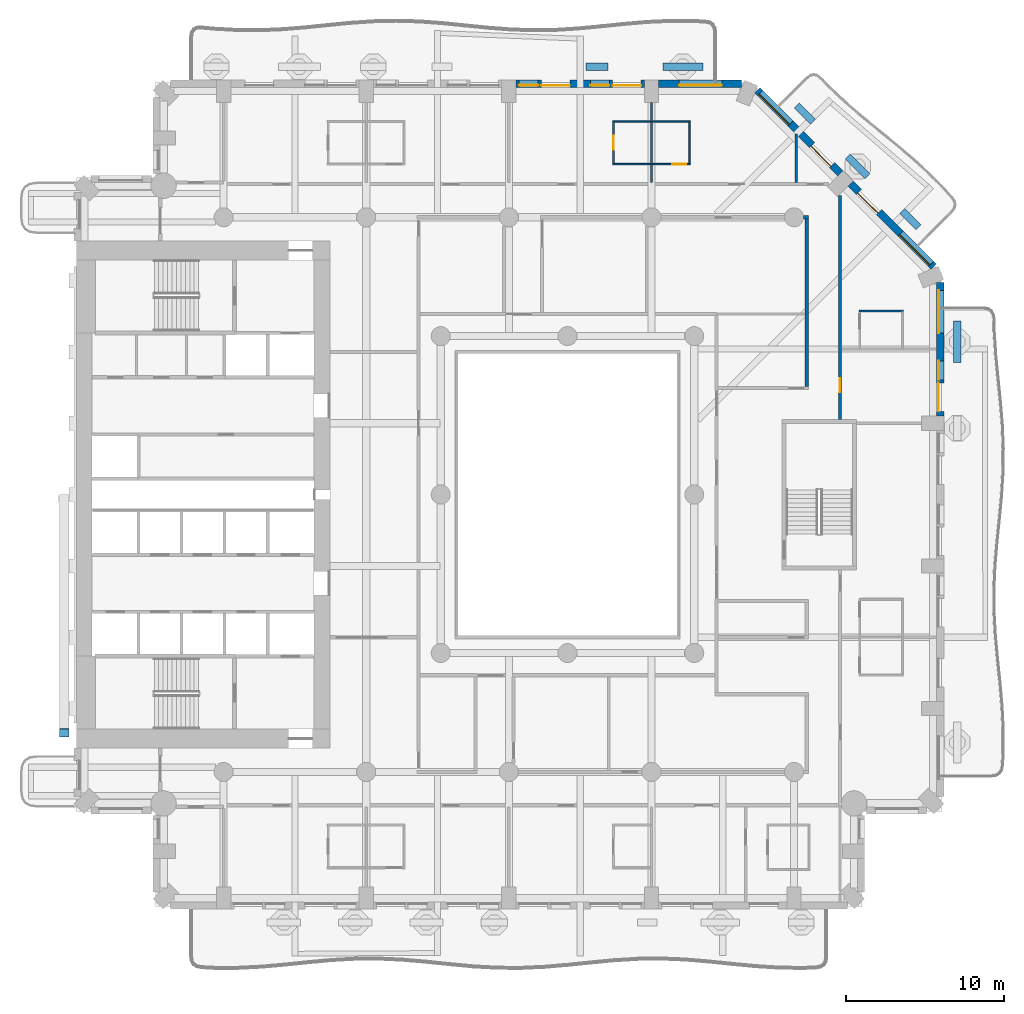
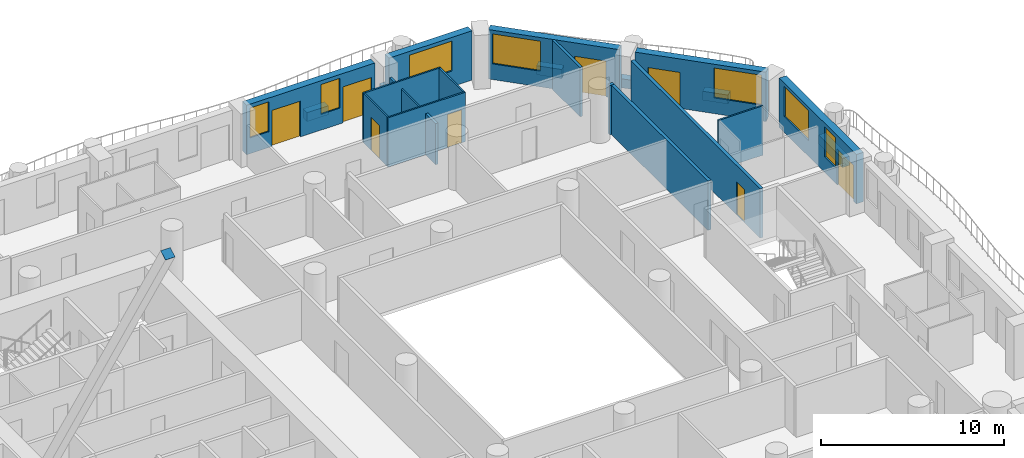
# One storey, part 9 of 20: 23 walls, 8 doors, 7 windows, 1 discrete accessory, 15 openings.
"""IFC4 building model written with IfcOpenShell, lengths in metres."""

from ifc_helpers import new_model, si_unit, direction, frame, frame_2d, origin, origin_2d, place, context, subcontext, project, spatial, rectangle, extrude, material, layer, layer_set, material_profile, profile_set, type_object, element, fill, save


model = new_model("IFC4")

# Units and contexts
model_context = context("Model", 3, precision=1e-05, world=origin(), true_north=direction((0.0, 1.0)))
body_context = subcontext(model_context, "Body", "Model", "MODEL_VIEW")
ifc_project = project(units=[si_unit("LENGTHUNIT", "METRE"), si_unit("AREAUNIT", "SQUARE_METRE"), si_unit("VOLUMEUNIT", "CUBIC_METRE"), si_unit("PLANEANGLEUNIT", "RADIAN"), si_unit("MASSUNIT", "GRAM", prefix="KILO")], contexts=[model_context])

# Site, building, storey
site_placement = place(None, origin())
site = spatial("IfcSite", under=ifc_project, at=site_placement, CompositionType="ELEMENT")
building_placement = place(site_placement, origin())
building = spatial("IfcBuilding", under=site, at=building_placement, Name="Cypress Arch Tower", CompositionType="ELEMENT")
storey_placement = place(building_placement, frame((0.0, 0.0, 73.5)))
storey = spatial("IfcBuildingStorey", under=building, at=storey_placement, Name="L12", CompositionType="ELEMENT", Elevation=73.5)

# Walls
ifc_material_1 = material(Name="Concrete C40/50, waterproofed", Category="concrete")
ifc_layer_1 = layer(ifc_material_1, 0.449951171875)
ifc_layer_set_1 = layer_set([ifc_layer_1], Name="Balcony planter wall PW450")
wall_type_1 = type_object("IfcWallType", Name="Balcony planter wall PW450", PredefinedType="SOLIDWALL", material=ifc_layer_set_1)
wall_1_placement = place(storey_placement, frame((25.60009765625, 8.335693359375, 0.0), z_axis=(0.0, 0.0, 1.0), x_axis=(0.0, 1.0, 0.0)))
element("IfcWall", 1, at=wall_1_placement, inside=storey, type_object=wall_type_1, Name="Balcony planter wall L12-A06.3", PredefinedType="SOLIDWALL", context=body_context, shape_type="SweptSolid", body=[
    extrude(rectangle(XDim=2.6142578125, YDim=0.449951171875, at=frame_2d((1.30712890625, 0.0))), origin(), (0.0, 0.0, 1.0), 0.60009765625),
])
wall_2_placement = place(storey_placement, frame((23.150390625, 16.86376953125, 0.0), z_axis=(0.0, 0.0, 1.0), x_axis=(-0.707106781187, 0.707106781187, 0.0)))
element("IfcWall", 2, at=wall_2_placement, inside=storey, type_object=wall_type_1, Name="Balcony planter wall L12-A07.1", PredefinedType="SOLIDWALL", context=body_context, shape_type="SweptSolid", body=[
    extrude(rectangle(XDim=1.44482421875, YDim=0.449951171875, at=frame_2d((0.722412109375, 0.0))), origin(), (0.0, 0.0, 1.0), 0.60009765625),
])
wall_3_placement = place(storey_placement, frame((19.9365234375, 20.07763671875, 0.0), z_axis=(0.0, 0.0, 1.0), x_axis=(-0.707106781187, 0.707106781187, 0.0)))
element("IfcWall", 3, at=wall_3_placement, inside=storey, type_object=wall_type_1, Name="Balcony planter wall L12-A07.2", PredefinedType="SOLIDWALL", context=body_context, shape_type="SweptSolid", body=[
    extrude(rectangle(XDim=1.780517578125, YDim=0.449951171875, at=frame_2d((0.89013671875, 0.0))), origin(), (0.0, 0.0, 1.0), 0.60009765625),
])
wall_4_placement = place(storey_placement, frame((16.485595703125, 23.528564453125, 0.0), z_axis=(0.0, 0.0, 1.0), x_axis=(-0.707022305137, 0.707191247145, 0.0)))
element("IfcWall", 4, at=wall_4_placement, inside=storey, type_object=wall_type_1, Name="Balcony planter wall L12-A07.3", PredefinedType="SOLIDWALL", context=body_context, shape_type="SweptSolid", body=[
    extrude(rectangle(XDim=1.445068359375, YDim=0.449951171875, at=frame_2d((0.72265625, 0.0))), origin(), (0.0, 0.0, 1.0), 0.60009765625),
])
wall_5_placement = place(storey_placement, frame((9.550048828125, 27.0, 0.0), z_axis=(0.0, 0.0, 1.0), x_axis=(-1.0, 0.0, 0.0)))
element("IfcWall", 5, at=wall_5_placement, inside=storey, type_object=wall_type_1, Name="Balcony planter wall L12-A08.1", PredefinedType="SOLIDWALL", context=body_context, shape_type="SweptSolid", body=[
    extrude(rectangle(XDim=2.53759765625, YDim=0.449951171875, at=frame_2d((1.268798828125, 0.0))), origin(), (0.0, 0.0, 1.0), 0.60009765625),
])
wall_6_placement = place(storey_placement, frame((3.550048828125, 27.0, 0.0), z_axis=(0.0, 0.0, 1.0), x_axis=(-1.0, 0.0, 0.0)))
element("IfcWall", 6, at=wall_6_placement, inside=storey, type_object=wall_type_1, Name="Balcony planter wall L12-A08.2", PredefinedType="SOLIDWALL", context=body_context, shape_type="SweptSolid", body=[
    extrude(rectangle(XDim=1.375, YDim=0.449951171875, at=frame_2d((0.6875, 0.0))), origin(), (0.0, 0.0, 1.0), 0.60009765625),
])

# Wall, openings, door, windows
ifc_material_2 = material(Name="Brick (red buff blend)", Category="masonry")
ifc_layer_2 = layer(ifc_material_2, 0.449951171875)
ifc_layer_set_2 = layer_set([ifc_layer_2], Name="Brick pier and spandrel wall BW450")
wall_type_2 = type_object("IfcWallType", Name="Brick pier and spandrel wall BW450", PredefinedType="SOLIDWALL", material=ifc_layer_set_2)
wall_7_placement = place(storey_placement, frame((24.52490234375, 4.949951171875, 0.0), z_axis=(0.0, 0.0, 1.0), x_axis=(0.0, 1.0, 0.0)))
wall_7 = element("IfcWall", 7, at=wall_7_placement, inside=storey, type_object=wall_type_2, Name="Brick wall L12 A06.3", PredefinedType="SOLIDWALL", context=body_context, shape_type="SweptSolid", body=[
    extrude(rectangle(XDim=8.438720703125, YDim=0.449951171875, at=frame_2d((4.21923828125, 0.0))), origin(), (0.0, 0.0, 1.0), 3.300048828125),
])
opening_1_placement = place(wall_7_placement, frame((0.2939453125, 0.0, 0.0)))
opening_1 = element("IfcOpeningElement", 8, at=opening_1_placement, cuts=wall_7, Name="Opening D-L12-A06.3.1", PredefinedType="OPENING", context=body_context, shape_type="SweptSolid", body=[
    extrude(rectangle(XDim=1.800048828125, YDim=2.39990234375, at=frame_2d((0.89990234375, 1.199951171875))), frame((0.0, 0.23486328125, 0.0), z_axis=(0.0, -1.0, 0.0), x_axis=(1.0, 0.0, 0.0)), (0.0, 0.0, 1.0), 0.469970703125),
])
opening_2_placement = place(wall_7_placement, frame((2.2939453125, 0.0, 1.050048828125)))
opening_2 = element("IfcOpeningElement", 9, at=opening_2_placement, cuts=wall_7, Name="Opening W120HD", PredefinedType="OPENING", context=body_context, shape_type="SweptSolid", body=[
    extrude(rectangle(XDim=1.199951171875, YDim=2.0, at=frame_2d((0.60009765625, 1.0))), frame((0.0, 0.23486328125, 0.0), z_axis=(0.0, -1.0, 0.0), x_axis=(1.0, 0.0, 0.0)), (0.0, 0.0, 1.0), 0.469970703125),
])
opening_3_placement = place(wall_7_placement, frame((5.231689453125, 0.0, 1.050048828125)))
opening_3 = element("IfcOpeningElement", 10, at=opening_3_placement, cuts=wall_7, Name="Opening W270HD", PredefinedType="OPENING", context=body_context, shape_type="SweptSolid", body=[
    extrude(rectangle(XDim=2.699951171875, YDim=2.0, at=frame_2d((1.35009765625, 1.0))), frame((0.0, 0.23486328125, 0.0), z_axis=(0.0, -1.0, 0.0), x_axis=(1.0, 0.0, 0.0)), (0.0, 0.0, 1.0), 0.469970703125),
])
ifc_material_3 = material(Name="Anodised aluminium, bronze finish, laminated low-emissivity double glazing, large-missile impact rated", Category="aluminium")
door_type_1 = type_object("IfcDoorType", Name="Balcony sliding door 1800x2400", OperationType="SLIDING_TO_LEFT", PredefinedType="DOOR", material=ifc_material_3)
door_1_placement = place(opening_1_placement, origin())
door_1 = element("IfcDoor", 11, at=door_1_placement, inside=storey, type_object=door_type_1, Name="Balcony door L12 A06.3.1", OperationType="SLIDING_TO_LEFT", OverallHeight=2.39990234375, OverallWidth=1.800048828125, PredefinedType="DOOR", context=body_context, shape_type="SweptSolid", body=[
    extrude(rectangle(XDim=1.800048828125, YDim=2.39990234375, at=frame_2d((0.89990234375, 1.199951171875))), frame((0.0, 0.1298828125, 0.0), z_axis=(0.0, -1.0, 0.0), x_axis=(1.0, 0.0, 0.0)), (0.0, 0.0, 1.0), 0.050048828125),
])
fill(opening_1, door_1)
ifc_material_4 = material(Name="Anodised aluminium, bronze finish, laminated low-emissivity double glazing, large-missile impact rated", Category="aluminium")
window_type_1 = type_object("IfcWindowType", Name="Window Hotel 1200x2000 debris-rated", PartitioningType="SINGLE_PANEL", PredefinedType="WINDOW", material=ifc_material_4)
window_1_placement = place(opening_2_placement, origin())
window_1 = element("IfcWindow", 12, at=window_1_placement, inside=storey, type_object=window_type_1, Name="Window L12 A06.3.1", OverallHeight=2.0, OverallWidth=1.199951171875, PartitioningType="SINGLE_PANEL", PredefinedType="WINDOW", context=body_context, shape_type="SweptSolid", body=[
    extrude(rectangle(XDim=1.199951171875, YDim=2.0, at=frame_2d((0.60009765625, 1.0))), frame((0.0, 0.135009765625, 0.0), z_axis=(0.0, -1.0, 0.0), x_axis=(1.0, 0.0, 0.0)), (0.0, 0.0, 1.0), 0.06005859375),
])
fill(opening_2, window_1)
ifc_material_5 = material(Name="Anodised aluminium, bronze finish, laminated low-emissivity double glazing, large-missile impact rated", Category="aluminium")
window_type_2 = type_object("IfcWindowType", Name="Window Hotel 2700x2000 debris-rated", PartitioningType="SINGLE_PANEL", PredefinedType="WINDOW", material=ifc_material_5)
window_2_placement = place(opening_3_placement, origin())
window_2 = element("IfcWindow", 13, at=window_2_placement, inside=storey, type_object=window_type_2, Name="Window L12 A06.3.2", OverallHeight=2.0, OverallWidth=2.699951171875, PartitioningType="SINGLE_PANEL", PredefinedType="WINDOW", context=body_context, shape_type="SweptSolid", body=[
    extrude(rectangle(XDim=2.699951171875, YDim=2.0, at=frame_2d((1.35009765625, 1.0))), frame((0.0, 0.135009765625, 0.0), z_axis=(0.0, -1.0, 0.0), x_axis=(1.0, 0.0, 0.0)), (0.0, 0.0, 1.0), 0.06005859375),
])
fill(opening_3, window_2)

# Wall, openings, door, window
wall_8_placement = place(storey_placement, frame((24.11474609375, 14.379150390625, 0.0), z_axis=(0.0, 0.0, 1.0), x_axis=(-0.707106781187, 0.707106781187, 0.0)))
wall_8 = element("IfcWall", 14, at=wall_8_placement, inside=storey, type_object=wall_type_2, Name="Brick wall L12 A07.0", PredefinedType="SOLIDWALL", context=body_context, shape_type="SweptSolid", body=[
    extrude(rectangle(XDim=7.423828125, YDim=0.449951171875, at=frame_2d((3.7119140625, 0.0))), origin(), (0.0, 0.0, 1.0), 3.300048828125),
])
opening_4_placement = place(wall_8_placement, frame((0.253173828125, 0.0, 1.050048828125)))
opening_4 = element("IfcOpeningElement", 15, at=opening_4_placement, cuts=wall_8, Name="Opening W270HD", PredefinedType="OPENING", context=body_context, shape_type="SweptSolid", body=[
    extrude(rectangle(XDim=2.699951171875, YDim=2.0, at=frame_2d((1.35009765625, 1.0))), frame((0.0, 0.23486328125, 0.0), z_axis=(0.0, -1.0, 0.0), x_axis=(1.0, 0.0, 0.0)), (0.0, 0.0, 1.0), 0.469970703125),
])
opening_5_placement = place(wall_8_placement, frame((4.8837890625, 0.0, 0.0)))
opening_5 = element("IfcOpeningElement", 16, at=opening_5_placement, cuts=wall_8, Name="Opening D-L12-A07.0.2", PredefinedType="OPENING", context=body_context, shape_type="SweptSolid", body=[
    extrude(rectangle(XDim=1.800048828125, YDim=2.39990234375, at=frame_2d((0.89990234375, 1.199951171875))), frame((0.0, 0.23486328125, 0.0), z_axis=(0.0, -1.0, 0.0), x_axis=(1.0, 0.0, 0.0)), (0.0, 0.0, 1.0), 0.469970703125),
])
door_2_placement = place(opening_5_placement, origin())
door_2 = element("IfcDoor", 17, at=door_2_placement, inside=storey, type_object=door_type_1, Name="Balcony door L12 A07.0.2", OperationType="SLIDING_TO_LEFT", OverallHeight=2.39990234375, OverallWidth=1.800048828125, PredefinedType="DOOR", context=body_context, shape_type="SweptSolid", body=[
    extrude(rectangle(XDim=1.800048828125, YDim=2.39990234375, at=frame_2d((0.89990234375, 1.199951171875))), frame((0.0, 0.1298828125, 0.0), z_axis=(0.0, -1.0, 0.0), x_axis=(1.0, 0.0, 0.0)), (0.0, 0.0, 1.0), 0.050048828125),
])
fill(opening_5, door_2)
window_3_placement = place(opening_4_placement, origin())
window_3 = element("IfcWindow", 18, at=window_3_placement, inside=storey, type_object=window_type_2, Name="Window L12 A07.0.1", OverallHeight=2.0, OverallWidth=2.699951171875, PartitioningType="SINGLE_PANEL", PredefinedType="WINDOW", context=body_context, shape_type="SweptSolid", body=[
    extrude(rectangle(XDim=2.699951171875, YDim=2.0, at=frame_2d((1.35009765625, 1.0))), frame((0.0, 0.135009765625, 0.0), z_axis=(0.0, -1.0, 0.0), x_axis=(1.0, 0.0, 0.0)), (0.0, 0.0, 1.0), 0.06005859375),
])
fill(opening_4, window_3)

wall_9_placement = place(storey_placement, frame((18.228759765625, 20.26513671875, 0.0), z_axis=(0.0, 0.0, 1.0), x_axis=(-0.707106781187, 0.707106781187, 0.0)))
wall_9 = element("IfcWall", 19, at=wall_9_placement, inside=storey, type_object=wall_type_2, Name="Brick wall L12 A07.1", PredefinedType="SOLIDWALL", context=body_context, shape_type="SweptSolid", body=[
    extrude(rectangle(XDim=7.423828125, YDim=0.449951171875, at=frame_2d((3.7119140625, 0.0))), origin(), (0.0, 0.0, 1.0), 3.300048828125),
])
opening_6_placement = place(wall_9_placement, frame((0.740234375, 0.0, 0.0)))
opening_6 = element("IfcOpeningElement", 20, at=opening_6_placement, cuts=wall_9, Name="Opening D-L12-A07.1.1", PredefinedType="OPENING", context=body_context, shape_type="SweptSolid", body=[
    extrude(rectangle(XDim=1.800048828125, YDim=2.39990234375, at=frame_2d((0.89990234375, 1.199951171875))), frame((0.0, 0.23486328125, 0.0), z_axis=(0.0, -1.0, 0.0), x_axis=(1.0, 0.0, 0.0)), (0.0, 0.0, 1.0), 0.469970703125),
])
opening_7_placement = place(wall_9_placement, frame((4.470703125, 0.0, 1.050048828125)))
opening_7 = element("IfcOpeningElement", 21, at=opening_7_placement, cuts=wall_9, Name="Opening W270HD", PredefinedType="OPENING", context=body_context, shape_type="SweptSolid", body=[
    extrude(rectangle(XDim=2.699951171875, YDim=2.0, at=frame_2d((1.35009765625, 1.0))), frame((0.0, 0.23486328125, 0.0), z_axis=(0.0, -1.0, 0.0), x_axis=(1.0, 0.0, 0.0)), (0.0, 0.0, 1.0), 0.469970703125),
])
door_3_placement = place(opening_6_placement, origin())
door_3 = element("IfcDoor", 22, at=door_3_placement, inside=storey, type_object=door_type_1, Name="Balcony door L12 A07.1.1", OperationType="SLIDING_TO_LEFT", OverallHeight=2.39990234375, OverallWidth=1.800048828125, PredefinedType="DOOR", context=body_context, shape_type="SweptSolid", body=[
    extrude(rectangle(XDim=1.800048828125, YDim=2.39990234375, at=frame_2d((0.89990234375, 1.199951171875))), frame((0.0, 0.1298828125, 0.0), z_axis=(0.0, -1.0, 0.0), x_axis=(1.0, 0.0, 0.0)), (0.0, 0.0, 1.0), 0.050048828125),
])
fill(opening_6, door_3)
window_4_placement = place(opening_7_placement, origin())
window_4 = element("IfcWindow", 23, at=window_4_placement, inside=storey, type_object=window_type_2, Name="Window L12 A07.1.2", OverallHeight=2.0, OverallWidth=2.699951171875, PartitioningType="SINGLE_PANEL", PredefinedType="WINDOW", context=body_context, shape_type="SweptSolid", body=[
    extrude(rectangle(XDim=2.699951171875, YDim=2.0, at=frame_2d((1.35009765625, 1.0))), frame((0.0, 0.135009765625, 0.0), z_axis=(0.0, -1.0, 0.0), x_axis=(1.0, 0.0, 0.0)), (0.0, 0.0, 1.0), 0.06005859375),
])
fill(opening_7, window_4)

# Wall, opening, window
wall_10_placement = place(storey_placement, frame((11.98876953125, 25.925048828125, 0.0), z_axis=(0.0, 0.0, 1.0), x_axis=(-1.0, 0.0, 0.0)))
wall_10 = element("IfcWall", 24, at=wall_10_placement, inside=storey, type_object=wall_type_2, Name="Brick wall L12 A08.0", PredefinedType="SOLIDWALL", context=body_context, shape_type="SweptSolid", body=[
    extrude(rectangle(XDim=5.23876953125, YDim=0.449951171875, at=frame_2d((2.619384765625, 0.0))), origin(), (0.0, 0.0, 1.0), 3.300048828125),
])
opening_8_placement = place(wall_10_placement, frame((1.250732421875, 0.0, 1.050048828125)))
opening_8 = element("IfcOpeningElement", 25, at=opening_8_placement, cuts=wall_10, Name="Opening W270HD", PredefinedType="OPENING", context=body_context, shape_type="SweptSolid", body=[
    extrude(rectangle(XDim=2.699951171875, YDim=2.0, at=frame_2d((1.35009765625, 1.0))), frame((0.0, 0.23486328125, 0.0), z_axis=(0.0, -1.0, 0.0), x_axis=(1.0, 0.0, 0.0)), (0.0, 0.0, 1.0), 0.469970703125),
])
window_5_placement = place(opening_8_placement, origin())
window_5 = element("IfcWindow", 26, at=window_5_placement, inside=storey, type_object=window_type_2, Name="Window L12 A08.0.1", OverallHeight=2.0, OverallWidth=2.699951171875, PartitioningType="SINGLE_PANEL", PredefinedType="WINDOW", context=body_context, shape_type="SweptSolid", body=[
    extrude(rectangle(XDim=2.699951171875, YDim=2.0, at=frame_2d((1.35009765625, 1.0))), frame((0.0, 0.135009765625, 0.0), z_axis=(0.0, -1.0, 0.0), x_axis=(1.0, 0.0, 0.0)), (0.0, 0.0, 1.0), 0.06005859375),
])
fill(opening_8, window_5)

# Wall, openings, doors, windows
wall_11_placement = place(storey_placement, frame((5.85009765625, 25.925048828125, 0.0), z_axis=(0.0, 0.0, 1.0), x_axis=(-1.0, 0.0, 0.0)))
wall_11 = element("IfcWall", 27, at=wall_11_placement, inside=storey, type_object=wall_type_2, Name="Brick wall L12 A08.1", PredefinedType="SOLIDWALL", context=body_context, shape_type="SweptSolid", body=[
    extrude(rectangle(XDim=8.10009765625, YDim=0.449951171875, at=frame_2d((4.050048828125, 0.0))), origin(), (0.0, 0.0, 1.0), 3.300048828125),
])
opening_9_placement = place(wall_11_placement, frame((0.199951171875, 0.0, 0.0)))
opening_9 = element("IfcOpeningElement", 28, at=opening_9_placement, cuts=wall_11, Name="Opening D-L12-A08.1.1", PredefinedType="OPENING", context=body_context, shape_type="SweptSolid", body=[
    extrude(rectangle(XDim=1.800048828125, YDim=2.39990234375, at=frame_2d((0.89990234375, 1.199951171875))), frame((0.0, 0.23486328125, 0.0), z_axis=(0.0, -1.0, 0.0), x_axis=(1.0, 0.0, 0.0)), (0.0, 0.0, 1.0), 0.469970703125),
])
opening_10_placement = place(wall_11_placement, frame((2.199951171875, 0.0, 1.050048828125)))
opening_10 = element("IfcOpeningElement", 29, at=opening_10_placement, cuts=wall_11, Name="Opening W120HD", PredefinedType="OPENING", context=body_context, shape_type="SweptSolid", body=[
    extrude(rectangle(XDim=1.199951171875, YDim=2.0, at=frame_2d((0.60009765625, 1.0))), frame((0.0, 0.23486328125, 0.0), z_axis=(0.0, -1.0, 0.0), x_axis=(1.0, 0.0, 0.0)), (0.0, 0.0, 1.0), 0.469970703125),
])
opening_11_placement = place(wall_11_placement, frame((4.699951171875, 0.0, 0.0)))
opening_11 = element("IfcOpeningElement", 30, at=opening_11_placement, cuts=wall_11, Name="Opening D-L12-A08.1.2", PredefinedType="OPENING", context=body_context, shape_type="SweptSolid", body=[
    extrude(rectangle(XDim=1.800048828125, YDim=2.39990234375, at=frame_2d((0.89990234375, 1.199951171875))), frame((0.0, 0.23486328125, 0.0), z_axis=(0.0, -1.0, 0.0), x_axis=(1.0, 0.0, 0.0)), (0.0, 0.0, 1.0), 0.469970703125),
])
opening_12_placement = place(wall_11_placement, frame((6.699951171875, 0.0, 1.050048828125)))
opening_12 = element("IfcOpeningElement", 31, at=opening_12_placement, cuts=wall_11, Name="Opening W120HD", PredefinedType="OPENING", context=body_context, shape_type="SweptSolid", body=[
    extrude(rectangle(XDim=1.199951171875, YDim=2.0, at=frame_2d((0.60009765625, 1.0))), frame((0.0, 0.23486328125, 0.0), z_axis=(0.0, -1.0, 0.0), x_axis=(1.0, 0.0, 0.0)), (0.0, 0.0, 1.0), 0.469970703125),
])
door_4_placement = place(opening_9_placement, origin())
door_4 = element("IfcDoor", 32, at=door_4_placement, inside=storey, type_object=door_type_1, Name="Balcony door L12 A08.1.1", OperationType="SLIDING_TO_LEFT", OverallHeight=2.39990234375, OverallWidth=1.800048828125, PredefinedType="DOOR", context=body_context, shape_type="SweptSolid", body=[
    extrude(rectangle(XDim=1.800048828125, YDim=2.39990234375, at=frame_2d((0.89990234375, 1.199951171875))), frame((0.0, 0.1298828125, 0.0), z_axis=(0.0, -1.0, 0.0), x_axis=(1.0, 0.0, 0.0)), (0.0, 0.0, 1.0), 0.050048828125),
])
fill(opening_9, door_4)
door_5_placement = place(opening_11_placement, origin())
door_5 = element("IfcDoor", 33, at=door_5_placement, inside=storey, type_object=door_type_1, Name="Balcony door L12 A08.1.2", OperationType="SLIDING_TO_LEFT", OverallHeight=2.39990234375, OverallWidth=1.800048828125, PredefinedType="DOOR", context=body_context, shape_type="SweptSolid", body=[
    extrude(rectangle(XDim=1.800048828125, YDim=2.39990234375, at=frame_2d((0.89990234375, 1.199951171875))), frame((0.0, 0.1298828125, 0.0), z_axis=(0.0, -1.0, 0.0), x_axis=(1.0, 0.0, 0.0)), (0.0, 0.0, 1.0), 0.050048828125),
])
fill(opening_11, door_5)
window_6_placement = place(opening_10_placement, origin())
window_6 = element("IfcWindow", 34, at=window_6_placement, inside=storey, type_object=window_type_1, Name="Window L12 A08.1.1", OverallHeight=2.0, OverallWidth=1.199951171875, PartitioningType="SINGLE_PANEL", PredefinedType="WINDOW", context=body_context, shape_type="SweptSolid", body=[
    extrude(rectangle(XDim=1.199951171875, YDim=2.0, at=frame_2d((0.60009765625, 1.0))), frame((0.0, 0.135009765625, 0.0), z_axis=(0.0, -1.0, 0.0), x_axis=(1.0, 0.0, 0.0)), (0.0, 0.0, 1.0), 0.06005859375),
])
fill(opening_10, window_6)
window_7_placement = place(opening_12_placement, origin())
window_7 = element("IfcWindow", 35, at=window_7_placement, inside=storey, type_object=window_type_1, Name="Window L12 A08.1.2", OverallHeight=2.0, OverallWidth=1.199951171875, PartitioningType="SINGLE_PANEL", PredefinedType="WINDOW", context=body_context, shape_type="SweptSolid", body=[
    extrude(rectangle(XDim=1.199951171875, YDim=2.0, at=frame_2d((0.60009765625, 1.0))), frame((0.0, 0.135009765625, 0.0), z_axis=(0.0, -1.0, 0.0), x_axis=(1.0, 0.0, 0.0)), (0.0, 0.0, 1.0), 0.06005859375),
])
fill(opening_12, window_7)

# Walls
ifc_material_6 = material(Name="Concrete blockwork, plastered, rated", Category="masonry")
ifc_layer_3 = layer(ifc_material_6, 0.199951171875)
ifc_layer_set_3 = layer_set([ifc_layer_3], Name="Corridor wall FW200")
wall_type_3 = type_object("IfcWallType", Name="Corridor wall FW200", PredefinedType="PARTITIONING", material=ifc_layer_set_3)
wall_12_placement = place(storey_placement, frame((15.89990234375, 17.5, 0.0), z_axis=(0.0, 0.0, 1.0), x_axis=(1.0, 0.0, 0.0)))
element("IfcWall", 36, at=wall_12_placement, inside=storey, type_object=wall_type_3, Name="Corridor wall", PredefinedType="PARTITIONING", context=body_context, shape_type="SweptSolid", body=[
    extrude(rectangle(XDim=0.300048828125, YDim=0.199951171875, at=frame_2d((0.14990234375, 0.0))), origin(), (0.0, 0.0, 1.0), 3.300048828125),
])
wall_13_placement = place(storey_placement, frame((16.10009765625, 6.824951171875, 0.0), z_axis=(0.0, 0.0, 1.0), x_axis=(0.0, 1.0, 0.0)))
element("IfcWall", 37, at=wall_13_placement, inside=storey, type_object=wall_type_3, Name="Corridor wall", PredefinedType="PARTITIONING", context=body_context, shape_type="SweptSolid", body=[
    extrude(rectangle(XDim=10.574951171875, YDim=0.199951171875, at=frame_2d((5.28759765625, 0.0))), origin(), (0.0, 0.0, 1.0), 3.300048828125),
])

# Wall, opening, door
wall_14_placement = place(storey_placement, frame((18.199951171875, 4.75, 0.0), z_axis=(0.0, 0.0, 1.0), x_axis=(0.0, 1.0, 0.0)))
wall_14 = element("IfcWall", 38, at=wall_14_placement, inside=storey, type_object=wall_type_3, Name="Corridor wall", PredefinedType="PARTITIONING", context=body_context, shape_type="SweptSolid", body=[
    extrude(rectangle(XDim=14.133544921875, YDim=0.199951171875, at=frame_2d((7.06689453125, 0.0))), origin(), (0.0, 0.0, 1.0), 3.300048828125),
])
opening_13_placement = place(wall_14_placement, frame((1.699951171875, 0.0, 0.0)))
opening_13 = element("IfcOpeningElement", 39, at=opening_13_placement, cuts=wall_14, Name="Opening D05", PredefinedType="OPENING", context=body_context, shape_type="SweptSolid", body=[
    extrude(rectangle(XDim=0.89990234375, YDim=2.199951171875, at=frame_2d((0.449951171875, 1.10009765625))), frame((0.0, 0.10986328125, 0.0), z_axis=(0.0, -1.0, 0.0), x_axis=(1.0, 0.0, 0.0)), (0.0, 0.0, 1.0), 0.219970703125),
])
ifc_material_7 = material(Name="Timber flush door", Category="wood")
door_type_2 = type_object("IfcDoorType", Name="Service door D05 900x2200", OperationType="SINGLE_SWING_LEFT", PredefinedType="DOOR", material=ifc_material_7)
door_6_placement = place(opening_13_placement, origin())
door_6 = element("IfcDoor", 40, at=door_6_placement, inside=storey, type_object=door_type_2, Name="Service door", OperationType="SINGLE_SWING_RIGHT", OverallHeight=2.199951171875, OverallWidth=0.89990234375, PredefinedType="DOOR", context=body_context, shape_type="SweptSolid", body=[
    extrude(rectangle(XDim=0.89990234375, YDim=2.199951171875, at=frame_2d((0.449951171875, 1.10009765625))), frame((0.0, 0.02490234375, 0.0), z_axis=(0.0, -1.0, 0.0), x_axis=(1.0, 0.0, 0.0)), (0.0, 0.0, 1.0), 0.050048828125),
])
fill(opening_13, door_6)

# Walls
ifc_material_8 = material(Name="Blockwork, plastered both sides", Category="masonry")
ifc_layer_4 = layer(ifc_material_8, 0.14990234375)
ifc_layer_set_4 = layer_set([ifc_layer_4], Name="Partition PW150")
wall_type_4 = type_object("IfcWallType", Name="Partition PW150", PredefinedType="PARTITIONING", material=ifc_layer_set_4)
wall_15_placement = place(storey_placement, frame((6.300048828125, 19.699951171875, 0.0), z_axis=(0.0, 0.0, 1.0), x_axis=(0.0, 1.0, 0.0)))
element("IfcWall", 41, at=wall_15_placement, inside=storey, type_object=wall_type_4, Name="Partition", PredefinedType="PARTITIONING", context=body_context, shape_type="SweptSolid", body=[
    extrude(rectangle(XDim=1.150146484375, YDim=0.14990234375, at=frame_2d((0.5751953125, 0.0))), origin(), (0.0, 0.0, 1.0), 2.75),
])
wall_16_placement = place(storey_placement, frame((6.300048828125, 23.550048828125, 0.0), z_axis=(0.0, 0.0, 1.0), x_axis=(0.0, 1.0, 0.0)))
element("IfcWall", 42, at=wall_16_placement, inside=storey, type_object=wall_type_4, Name="Partition", PredefinedType="PARTITIONING", context=body_context, shape_type="SweptSolid", body=[
    extrude(rectangle(XDim=1.199951171875, YDim=0.14990234375, at=frame_2d((0.60009765625, 0.0))), origin(), (0.0, 0.0, 1.0), 2.75),
])
wall_17_placement = place(storey_placement, frame((15.431884765625, 19.699951171875, 0.0), z_axis=(0.0, 0.0, 1.0), x_axis=(0.0, 1.0, 0.0)))
element("IfcWall", 43, at=wall_17_placement, inside=storey, type_object=wall_type_4, Name="Partition", PredefinedType="PARTITIONING", context=body_context, shape_type="SweptSolid", body=[
    extrude(rectangle(XDim=3.043701171875, YDim=0.14990234375, at=frame_2d((1.52197265625, 0.0))), origin(), (0.0, 0.0, 1.0), 3.300048828125),
])

# Wall, opening, door
ifc_material_9 = material(Name="Moisture resistant board on steel studs, tiled", Category="steel")
ifc_layer_5 = layer(ifc_material_9, 0.10009765625)
ifc_layer_set_5 = layer_set([ifc_layer_5], Name="Wet wall PW100")
wall_type_5 = type_object("IfcWallType", Name="Wet wall PW100", PredefinedType="PARTITIONING", material=ifc_layer_set_5)
wall_18_placement = place(storey_placement, frame((3.904052734375, 20.89990234375, 0.0), z_axis=(0.0, 0.0, 1.0), x_axis=(0.0, 1.0, 0.0)))
wall_18 = element("IfcWall", 44, at=wall_18_placement, inside=storey, type_object=wall_type_5, Name="Wet wall", PredefinedType="PARTITIONING", context=body_context, shape_type="SweptSolid", body=[
    extrude(rectangle(XDim=2.60009765625, YDim=0.10009765625, at=frame_2d((1.300048828125, 0.0))), origin(), (0.0, 0.0, 1.0), 3.300048828125),
])
opening_14_placement = place(wall_18_placement, frame((0.85009765625, 0.0, 0.0)))
opening_14 = element("IfcOpeningElement", 45, at=opening_14_placement, cuts=wall_18, Name="Opening D03", PredefinedType="OPENING", context=body_context, shape_type="SweptSolid", body=[
    extrude(rectangle(XDim=0.89990234375, YDim=2.199951171875, at=frame_2d((0.449951171875, 1.10009765625))), frame((0.0, 0.06005859375, 0.0), z_axis=(0.0, -1.0, 0.0), x_axis=(1.0, 0.0, 0.0)), (0.0, 0.0, 1.0), 0.1201171875),
])
ifc_material_10 = material(Name="Timber flush door, moisture resistant", Category="wood")
door_type_3 = type_object("IfcDoorType", Name="Bathroom door D03 900x2200", OperationType="SINGLE_SWING_LEFT", PredefinedType="DOOR", material=ifc_material_10)
door_7_placement = place(opening_14_placement, origin())
door_7 = element("IfcDoor", 46, at=door_7_placement, inside=storey, type_object=door_type_3, Name="Bathroom door", OperationType="SINGLE_SWING_RIGHT", OverallHeight=2.199951171875, OverallWidth=0.89990234375, PredefinedType="DOOR", context=body_context, shape_type="SweptSolid", body=[
    extrude(rectangle(XDim=0.89990234375, YDim=2.199951171875, at=frame_2d((0.449951171875, 1.10009765625))), frame((0.0, 0.02490234375, 0.0), z_axis=(0.0, -1.0, 0.0), x_axis=(1.0, 0.0, 0.0)), (0.0, 0.0, 1.0), 0.050048828125),
])
fill(opening_14, door_7)

wall_19_placement = place(storey_placement, frame((3.85400390625, 20.85009765625, 0.0), z_axis=(0.0, 0.0, 1.0), x_axis=(1.0, 0.0, 0.0)))
wall_19 = element("IfcWall", 47, at=wall_19_placement, inside=storey, type_object=wall_type_5, Name="Wet wall", PredefinedType="PARTITIONING", context=body_context, shape_type="SweptSolid", body=[
    extrude(rectangle(XDim=4.89208984375, YDim=0.10009765625, at=frame_2d((2.446044921875, 0.0))), origin(), (0.0, 0.0, 1.0), 3.300048828125),
])
opening_15_placement = place(wall_19_placement, frame((3.75, 0.0, 0.0)))
opening_15 = element("IfcOpeningElement", 48, at=opening_15_placement, cuts=wall_19, Name="Opening D03", PredefinedType="OPENING", context=body_context, shape_type="SweptSolid", body=[
    extrude(rectangle(XDim=0.89990234375, YDim=2.199951171875, at=frame_2d((0.449951171875, 1.10009765625))), frame((0.0, 0.06005859375, 0.0), z_axis=(0.0, -1.0, 0.0), x_axis=(1.0, 0.0, 0.0)), (0.0, 0.0, 1.0), 0.1201171875),
])
door_8_placement = place(opening_15_placement, origin())
door_8 = element("IfcDoor", 49, at=door_8_placement, inside=storey, type_object=door_type_3, Name="Bathroom door", OperationType="SINGLE_SWING_RIGHT", OverallHeight=2.199951171875, OverallWidth=0.89990234375, PredefinedType="DOOR", context=body_context, shape_type="SweptSolid", body=[
    extrude(rectangle(XDim=0.89990234375, YDim=2.199951171875, at=frame_2d((0.449951171875, 1.10009765625))), frame((0.0, 0.02490234375, 0.0), z_axis=(0.0, -1.0, 0.0), x_axis=(1.0, 0.0, 0.0)), (0.0, 0.0, 1.0), 0.050048828125),
])
fill(opening_15, door_8)

# Walls
wall_20_placement = place(storey_placement, frame((3.85400390625, 23.550048828125, 0.0), z_axis=(0.0, 0.0, 1.0), x_axis=(1.0, 0.0, 0.0)))
element("IfcWall", 50, at=wall_20_placement, inside=storey, type_object=wall_type_5, Name="Wet wall", PredefinedType="PARTITIONING", context=body_context, shape_type="SweptSolid", body=[
    extrude(rectangle(XDim=4.89208984375, YDim=0.10009765625, at=frame_2d((2.446044921875, 0.0))), origin(), (0.0, 0.0, 1.0), 3.300048828125),
])
wall_21_placement = place(storey_placement, frame((6.300048828125, 20.85009765625, 0.0), z_axis=(0.0, 0.0, 1.0), x_axis=(0.0, 1.0, 0.0)))
element("IfcWall", 51, at=wall_21_placement, inside=storey, type_object=wall_type_5, Name="Wet wall", PredefinedType="PARTITIONING", context=body_context, shape_type="SweptSolid", body=[
    extrude(rectangle(XDim=2.699951171875, YDim=0.10009765625, at=frame_2d((1.35009765625, 0.0))), origin(), (0.0, 0.0, 1.0), 2.75),
])
wall_22_placement = place(storey_placement, frame((8.696044921875, 20.89990234375, 0.0), z_axis=(0.0, 0.0, 1.0), x_axis=(0.0, 1.0, 0.0)))
element("IfcWall", 52, at=wall_22_placement, inside=storey, type_object=wall_type_5, Name="Wet wall", PredefinedType="PARTITIONING", context=body_context, shape_type="SweptSolid", body=[
    extrude(rectangle(XDim=2.60009765625, YDim=0.10009765625, at=frame_2d((1.300048828125, 0.0))), origin(), (0.0, 0.0, 1.0), 3.300048828125),
])
wall_23_placement = place(storey_placement, frame((19.39990234375, 11.5859375, 0.0), z_axis=(0.0, 0.0, 1.0), x_axis=(1.0, 0.0, 0.0)))
element("IfcWall", 53, at=wall_23_placement, inside=storey, type_object=wall_type_5, Name="Wet wall", PredefinedType="PARTITIONING", context=body_context, shape_type="SweptSolid", body=[
    extrude(rectangle(XDim=2.800048828125, YDim=0.10009765625, at=frame_2d((1.39990234375, 0.0))), origin(), (0.0, 0.0, 1.0), 3.300048828125),
])

# Discrete accessory
ifc_material_11 = material(Name="Steel ASTM A992", Category="steel")
ifc_material_profile = material_profile(ifc_material_11, rectangle(XDim=0.609619140625, YDim=0.609619140625, at=origin_2d()), Name="PL 20 610x610")
ifc_profile_set = profile_set([ifc_material_profile], Name="Steel ASTM A992")
discrete_accessory_type = type_object("IfcDiscreteAccessoryType", Name="End cap plate 610x610x20 Steel ASTM A992", PredefinedType="ANCHORPLATE", material=ifc_profile_set)
discrete_accessory_placement = place(storey_placement, frame((-30.7548828125, -15.03369140625, 28.05615234375), z_axis=(0.0, -0.514495755428, 0.857492925713), x_axis=(1.0, 0.0, 0.0)))
element("IfcDiscreteAccessory", 54, at=discrete_accessory_placement, inside=storey, type_object=discrete_accessory_type, Name="End cap plate west bracing 1", PredefinedType="ANCHORPLATE", context=body_context, shape_type="SweptSolid", body=[
    extrude(rectangle(XDim=0.609619140625, YDim=0.609619140625, at=origin_2d()), origin(), (0.0, 0.0, 1.0), 0.02001953125),
])

save(model, "model.ifc")
